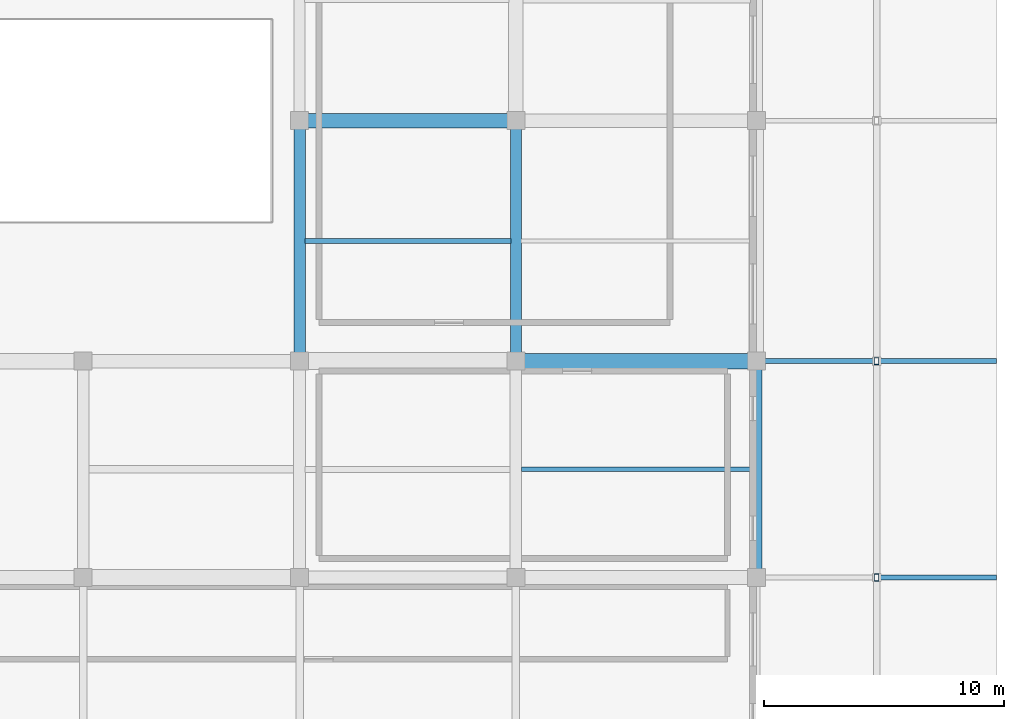
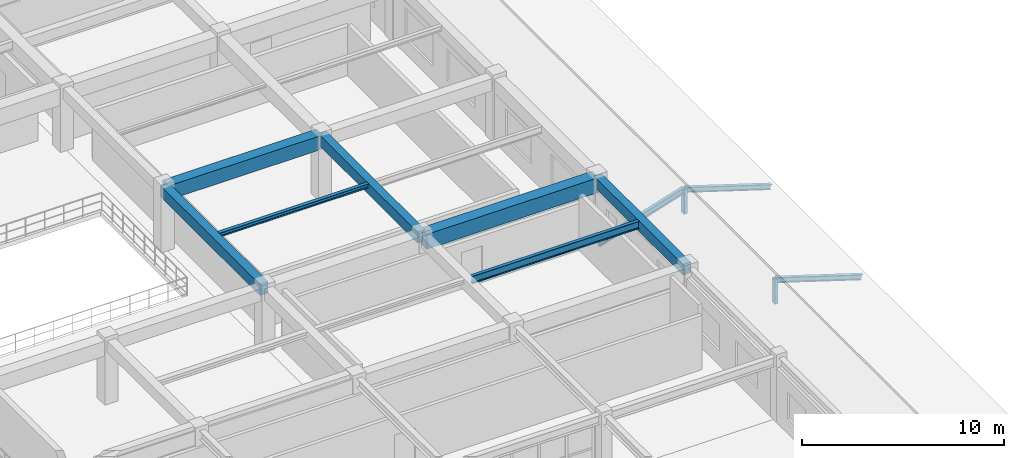
# One storey, part 81 of 130: 7 beams, 5 members.
"""IFC4 building model written with IfcOpenShell, lengths in metres."""

from ifc_helpers import new_model, si_unit, direction, frame, origin, origin_2d, place, context, subcontext, project, spatial, rectangle, hollow_rectangle, i_section, extrude, material, material_profile, profile_set, type_object, element, save


model = new_model("IFC4")

# Units and contexts
model_context = context("Model", 3, precision=1e-05, world=origin(), true_north=direction((0.0, 1.0)))
body_context = subcontext(model_context, "Body", "Model", "MODEL_VIEW")
ifc_project = project(units=[si_unit("LENGTHUNIT", "METRE"), si_unit("AREAUNIT", "SQUARE_METRE"), si_unit("VOLUMEUNIT", "CUBIC_METRE"), si_unit("PLANEANGLEUNIT", "RADIAN"), si_unit("MASSUNIT", "GRAM", prefix="KILO")], contexts=[model_context])

# Site, building, storey
site_placement = place(None, origin())
site = spatial("IfcSite", under=ifc_project, at=site_placement, CompositionType="ELEMENT")
building_placement = place(site_placement, origin())
building = spatial("IfcBuilding", under=site, at=building_placement, Name="Miravela Opera House", CompositionType="ELEMENT")
storey_placement = place(building_placement, frame((0.0, 0.0, 9.52001953125)))
storey = spatial("IfcBuildingStorey", under=building, at=storey_placement, Name="L02", CompositionType="ELEMENT", Elevation=9.52001953125)

# Beams
ifc_material_1 = material(Name="Concrete C35/45", Category="concrete")
ifc_material_profile_1 = material_profile(ifc_material_1, rectangle(XDim=0.449951171875, YDim=0.64990234375, at=origin_2d()), Name="RC-BM-450X650")
ifc_profile_set_1 = profile_set([ifc_material_profile_1])
beam_type_1 = type_object("IfcBeamType", Name="STR-BM-RC450X650", PredefinedType="BEAM", material=ifc_profile_set_1)
beam_1_placement = place(storey_placement, frame((144.0, 46.080078125, 3.514892578125), z_axis=(0.0, 1.0, 0.0), x_axis=(-1.0, 0.0, 0.0)))
element("IfcBeam", 1, at=beam_1_placement, inside=storey, type_object=beam_type_1, Name="Floor Girder L02 17/F-G", PredefinedType="BEAM", context=body_context, shape_type="SweptSolid", body=[
    extrude(rectangle(XDim=0.449951171875, YDim=0.64990234375, at=origin_2d()), origin(), (0.0, 0.0, 1.0), 9.83984375),
])
beam_2_placement = place(storey_placement, frame((154.0, 37.080078125, 3.514892578125), z_axis=(0.0, 1.0, 0.0), x_axis=(-1.0, 0.0, 0.0)))
element("IfcBeam", 2, at=beam_2_placement, inside=storey, type_object=beam_type_1, Name="Floor Girder L02 18/E-F", PredefinedType="BEAM", context=body_context, shape_type="SweptSolid", body=[
    extrude(rectangle(XDim=0.449951171875, YDim=0.64990234375, at=origin_2d()), origin(), (0.0, 0.0, 1.0), 8.83984375),
])
ifc_material_profile_2 = material_profile(ifc_material_1, rectangle(XDim=0.47998046875, YDim=0.679931640625, at=origin_2d()), Name="RC-BM-480X680")
ifc_profile_set_2 = profile_set([ifc_material_profile_2])
beam_type_2 = type_object("IfcBeamType", Name="STR-BM-RC480X680", PredefinedType="BEAM", material=ifc_profile_set_2)
beam_3_placement = place(storey_placement, frame((135.0, 46.080078125, 3.5), z_axis=(0.0, 1.0, 0.0), x_axis=(-1.0, 0.0, 0.0)))
element("IfcBeam", 3, at=beam_3_placement, inside=storey, type_object=beam_type_2, Name="Floor Girder L02 16/F-G", PredefinedType="BEAM", context=body_context, shape_type="SweptSolid", body=[
    extrude(rectangle(XDim=0.47998046875, YDim=0.679931640625, at=origin_2d()), origin(), (0.0, 0.0, 1.0), 9.83984375),
])
ifc_material_2 = material(Name="Concrete C40/50", Category="concrete")
ifc_material_profile_3 = material_profile(ifc_material_2, rectangle(XDim=0.60009765625, YDim=0.85009765625, at=origin_2d()), Name="RC-BM-600X850")
ifc_profile_set_3 = profile_set([ifc_material_profile_3])
beam_type_3 = type_object("IfcBeamType", Name="STR-BM-RC600X850", PredefinedType="BEAM", material=ifc_profile_set_3)
beam_4_placement = place(storey_placement, frame((135.080078125, 56.0, 3.4150390625), z_axis=(1.0, 0.0, 0.0), x_axis=(0.0, 1.0, 0.0)))
element("IfcBeam", 4, at=beam_4_placement, inside=storey, type_object=beam_type_3, Name="Floor Girder L02 16-17/G", PredefinedType="BEAM", context=body_context, shape_type="SweptSolid", body=[
    extrude(rectangle(XDim=0.60009765625, YDim=0.85009765625, at=origin_2d()), origin(), (0.0, 0.0, 1.0), 8.83984375),
])
ifc_material_profile_4 = material_profile(ifc_material_2, rectangle(XDim=0.64990234375, YDim=0.89990234375, at=origin_2d()), Name="RC-BM-650X900")
ifc_profile_set_4 = profile_set([ifc_material_profile_4])
beam_type_4 = type_object("IfcBeamType", Name="STR-BM-RC650X900", PredefinedType="BEAM", material=ifc_profile_set_4)
beam_5_placement = place(storey_placement, frame((144.080078125, 46.0, 3.389892578125), z_axis=(1.0, 0.0, 0.0), x_axis=(0.0, 1.0, 0.0)))
element("IfcBeam", 5, at=beam_5_placement, inside=storey, type_object=beam_type_4, Name="Floor Girder L02 17-18/F", PredefinedType="BEAM", context=body_context, shape_type="SweptSolid", body=[
    extrude(rectangle(XDim=0.64990234375, YDim=0.89990234375, at=origin_2d()), origin(), (0.0, 0.0, 1.0), 9.83984375),
])
ifc_material_3 = material(Name="Structural steel ASTM A992 Gr. 50", Category="steel")
ifc_material_profile_5 = material_profile(ifc_material_3, i_section(OverallWidth=0.201904296875, OverallDepth=0.2470703125, WebThickness=0.00732421875, FlangeThickness=0.010986328125, FilletRadius=0.011962890625, at=origin_2d()), Name="W250X49")
ifc_profile_set_5 = profile_set([ifc_material_profile_5])
beam_type_5 = type_object("IfcBeamType", Name="STR-BM-W250X49", PredefinedType="LINTEL", material=ifc_profile_set_5)
beam_6_placement = place(storey_placement, frame((135.22509765625, 51.0, 3.716552734375), z_axis=(1.0, 0.0, 0.0), x_axis=(0.0, 1.0, 0.0)))
element("IfcBeam", 6, at=beam_6_placement, inside=storey, type_object=beam_type_5, Name="Secondary Floor Joist L02 16-17/F-G", PredefinedType="LINTEL", context=body_context, shape_type="SweptSolid", body=[
    extrude(i_section(OverallWidth=0.201904296875, OverallDepth=0.2470703125, WebThickness=0.00732421875, FlangeThickness=0.010986328125, FilletRadius=0.011962890625, at=origin_2d()), origin(), (0.0, 0.0, 1.0), 8.56494140625),
])
ifc_material_profile_6 = material_profile(ifc_material_3, i_section(OverallWidth=0.19091796875, OverallDepth=0.4599609375, WebThickness=0.010009765625, FlangeThickness=0.01611328125, FilletRadius=0.014892578125, at=origin_2d()), Name="W460X82")
ifc_profile_set_6 = profile_set([ifc_material_profile_6])
beam_type_6 = type_object("IfcBeamType", Name="STR-BM-W460X82", PredefinedType="JOIST", material=ifc_profile_set_6)
beam_7_placement = place(storey_placement, frame((144.22509765625, 41.5, 3.60986328125), z_axis=(1.0, 0.0, 0.0), x_axis=(0.0, 1.0, 0.0)))
element("IfcBeam", 7, at=beam_7_placement, inside=storey, type_object=beam_type_6, Name="Secondary Floor Joist L02 17-18/E-F", PredefinedType="JOIST", context=body_context, shape_type="SweptSolid", body=[
    extrude(i_section(OverallWidth=0.19091796875, OverallDepth=0.4599609375, WebThickness=0.010009765625, FlangeThickness=0.01611328125, FilletRadius=0.014892578125, at=origin_2d()), origin(), (0.0, 0.0, 1.0), 9.56494140625),
])

# Members
ifc_material_4 = material(Name="Hollow structural steel ASTM A500 Gr. C", Category="steel")
ifc_material_profile_7 = material_profile(ifc_material_4, hollow_rectangle(XDim=0.199951171875, YDim=0.300048828125, WallThickness=0.011962890625, InnerFilletRadius=0.011962890625, OuterFilletRadius=0.02392578125, at=origin_2d()), Name="HSS300X200X12")
ifc_profile_set_7 = profile_set([ifc_material_profile_7])
member_type_1 = type_object("IfcMemberType", Name="STR-MEM-POST-HSS300X200", PredefinedType="POST", material=ifc_profile_set_7)
for number, where, z_axis, x_axis, name in (
    (8, (159.0, 37.0, -0.25), (0.0, 0.0, 1.0), (1.0, 0.0, 0.0), "Roof Ridge Support Post ROOF-V4-FAR-E M4"),
    (9, (159.0, 46.0, -0.25), (0.0, 0.0, 1.0), (1.0, 0.0, 0.0), "Roof Ridge Support Post ROOF-V4-FAR-E M5"),
):
    element("IfcMember", number, at=place(storey_placement, frame(where, z_axis=z_axis, x_axis=x_axis)), inside=storey, type_object=member_type_1, Name=name, PredefinedType="POST", context=body_context, shape_type="SweptSolid", body=[
        extrude(hollow_rectangle(XDim=0.199951171875, YDim=0.300048828125, WallThickness=0.011962890625, InnerFilletRadius=0.011962890625, OuterFilletRadius=0.02392578125, at=origin_2d()), origin(), (0.0, 0.0, 1.0), 1.469970703125),
    ])
ifc_material_profile_8 = material_profile(ifc_material_3, i_section(OverallWidth=0.2041015625, OverallDepth=0.35009765625, WebThickness=0.008544921875, FlangeThickness=0.01513671875, FilletRadius=0.013916015625, at=origin_2d()), Name="W360X72")
ifc_profile_set_8 = profile_set([ifc_material_profile_8])
member_type_2 = type_object("IfcMemberType", Name="STR-MEM-RAFTER-1", PredefinedType="RAFTER", material=ifc_profile_set_8)
member_placement = place(storey_placement, frame((154.050048828125, 46.0, -0.39990234375), z_axis=(0.953766624153, 0.0, 0.300548210195), x_axis=(0.0, 1.0, 0.0)))
element("IfcMember", 10, at=member_placement, inside=storey, type_object=member_type_2, Name="Pitched Roof Rafter ROOF-V4-FAR-E W5", PredefinedType="RAFTER", context=body_context, shape_type="SweptSolid", body=[
    extrude(i_section(OverallWidth=0.2041015625, OverallDepth=0.35009765625, WebThickness=0.008544921875, FlangeThickness=0.01513671875, FilletRadius=0.013916015625, at=origin_2d()), origin(), (0.0, 0.0, 1.0), 5.18994140625),
])
ifc_material_profile_9 = material_profile(ifc_material_3, i_section(OverallWidth=0.202880859375, OverallDepth=0.302978515625, WebThickness=0.007568359375, FlangeThickness=0.01318359375, FilletRadius=0.012939453125, at=origin_2d()), Name="W310X60")
ifc_profile_set_9 = profile_set([ifc_material_profile_9])
member_type_3 = type_object("IfcMemberType", Name="STR-MEM-RAFTER-2", PredefinedType="RAFTER", material=ifc_profile_set_9)
for number, where, z_axis, x_axis, name in (
    (11, (163.949951171875, 37.0, -0.39990234375), (-0.953766624153, 0.0, 0.300548210195), (0.0, -1.0, 0.0), "Pitched Roof Rafter ROOF-V4-FAR-E E4"),
    (12, (163.949951171875, 46.0, -0.39990234375), (-0.953766624153, 0.0, 0.300548210195), (0.0, -1.0, 0.0), "Pitched Roof Rafter ROOF-V4-FAR-E E5"),
):
    element("IfcMember", number, at=place(storey_placement, frame(where, z_axis=z_axis, x_axis=x_axis)), inside=storey, type_object=member_type_3, Name=name, PredefinedType="RAFTER", context=body_context, shape_type="SweptSolid", body=[
        extrude(i_section(OverallWidth=0.202880859375, OverallDepth=0.302978515625, WebThickness=0.007568359375, FlangeThickness=0.01318359375, FilletRadius=0.012939453125, at=origin_2d()), origin(), (0.0, 0.0, 1.0), 5.18994140625),
    ])

save(model, "model.ifc")
